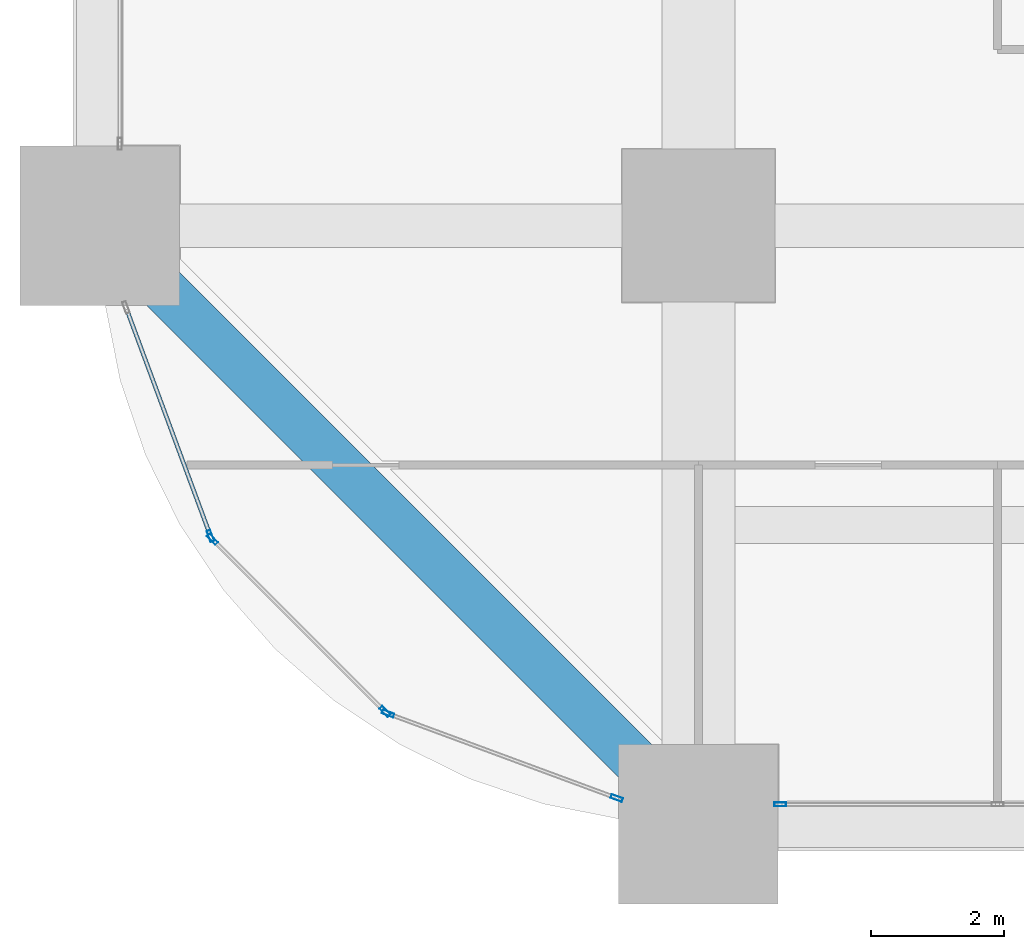
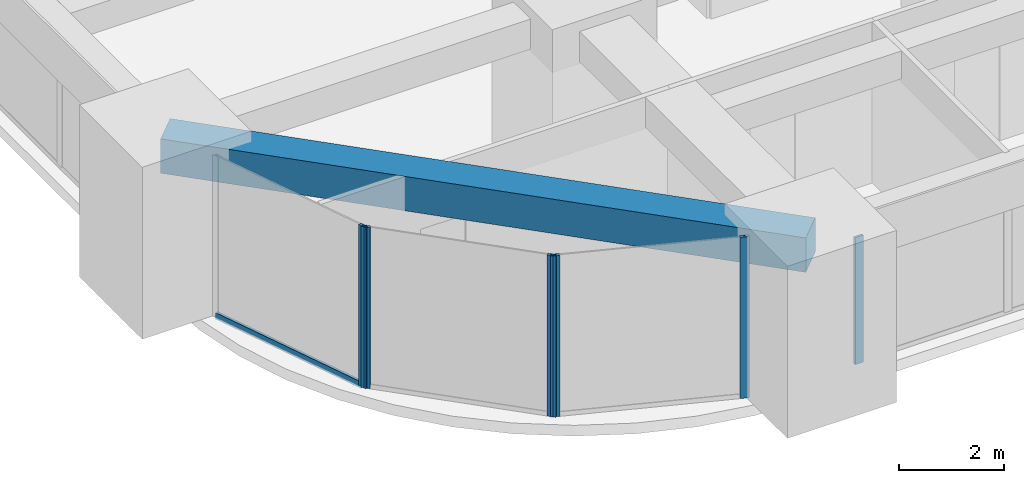
# One storey, part 2 of 45: 7 members, 1 beam, 4 elements without a shape of their own.
"""IFC4 building model written with IfcOpenShell, lengths in metres."""

from ifc_helpers import new_model, si_unit, direction, frame, origin, origin_2d, place, context, subcontext, project, spatial, rectangle, hollow_rectangle, extrude, material, material_profile, profile_set, type_object, element, aggregate, save


model = new_model("IFC4")

# Units and contexts
model_context = context("Model", 3, precision=1e-05, world=origin(), true_north=direction((0.0, 1.0)))
body_context = subcontext(model_context, "Body", "Model", "MODEL_VIEW")
ifc_project = project(units=[si_unit("LENGTHUNIT", "METRE"), si_unit("AREAUNIT", "SQUARE_METRE"), si_unit("VOLUMEUNIT", "CUBIC_METRE"), si_unit("PLANEANGLEUNIT", "RADIAN"), si_unit("MASSUNIT", "GRAM", prefix="KILO")], contexts=[model_context])

# Site, building, storey
site_placement = place(None, origin())
site = spatial("IfcSite", under=ifc_project, at=site_placement, CompositionType="ELEMENT")
building_placement = place(site_placement, origin())
building = spatial("IfcBuilding", under=site, at=building_placement, Name="Zorevar Civic Tower", CompositionType="ELEMENT")
storey_placement = place(building_placement, frame((0.0, 0.0, 27.800048828125)))
storey = spatial("IfcBuildingStorey", under=building, at=storey_placement, Name="L06", CompositionType="ELEMENT", Elevation=27.800048828125)

# Curtain wall, member
ifc_material_1 = material(Name="Dark grey solar-control glass in black aluminium frame", Category="aluminium")
curtain_wall_type = type_object("IfcCurtainWallType", Name="Curtain wall CW2 low zone", PredefinedType="NOTDEFINED", material=ifc_material_1)
curtain_wall_1_placement = place(storey_placement, origin())
curtain_wall_1 = element("IfcCurtainWall", 1, at=curtain_wall_1_placement, inside=storey, type_object=curtain_wall_type, Name="CW2 L06", PredefinedType="NOTDEFINED")
ifc_material_2 = material(Name="Aluminium, black anodised", Category="aluminium")
ifc_material_profile_1 = material_profile(ifc_material_2, hollow_rectangle(XDim=0.06005859375, YDim=0.179931640625, WallThickness=0.00390625, at=origin_2d()), Name="AL 180x60x4")
ifc_profile_set_1 = profile_set([ifc_material_profile_1], Name="Aluminium, black anodised")
member_type_1 = type_object("IfcMemberType", Name="CW2 mullion AL 180x60x4", PredefinedType="MULLION", material=ifc_profile_set_1)
member_1_placement = place(storey_placement, frame((10.22998046875, 0.300048828125, 0.0), z_axis=(0.0, 0.0, 1.0), x_axis=(0.0, 1.0, 0.0)))
member_1 = element("IfcMember", 2, at=member_1_placement, type_object=member_type_1, Name="CW2 mullion 1", PredefinedType="MULLION", context=body_context, shape_type="SweptSolid", body=[
    extrude(hollow_rectangle(XDim=0.06005859375, YDim=0.179931640625, WallThickness=0.00390625, at=origin_2d()), origin(), (0.0, 0.0, 1.0), 2.949951171875),
])
aggregate(curtain_wall_1, [member_1])

curtain_wall_2_placement = place(storey_placement, origin())
curtain_wall_2 = element("IfcCurtainWall", 3, at=curtain_wall_2_placement, inside=storey, type_object=curtain_wall_type, Name="CW2 L06", PredefinedType="NOTDEFINED")
member_2_placement = place(storey_placement, frame((1.663818359375, 4.33544921875, 0.0), z_axis=(0.0, 0.0, 1.0), x_axis=(0.937974588163, 0.346704012033, 0.0)))
member_2 = element("IfcMember", 4, at=member_2_placement, type_object=member_type_1, Name="CW2 mullion 2", PredefinedType="MULLION", context=body_context, shape_type="SweptSolid", body=[
    extrude(hollow_rectangle(XDim=0.06005859375, YDim=0.179931640625, WallThickness=0.00390625, at=origin_2d()), origin(), (0.0, 0.0, 1.0), 3.75),
])

# Curtain wall, members
curtain_wall_3_placement = place(storey_placement, origin())
curtain_wall_3 = element("IfcCurtainWall", 5, at=curtain_wall_3_placement, inside=storey, type_object=curtain_wall_type, Name="CW2 L06", PredefinedType="NOTDEFINED")
member_3_placement = place(storey_placement, frame((1.6953125, 4.2861328125, 0.0), z_axis=(0.0, 0.0, 1.0), x_axis=(0.707106781187, 0.707106781187, 0.0)))
member_3 = element("IfcMember", 6, at=member_3_placement, type_object=member_type_1, Name="CW2 mullion 1", PredefinedType="MULLION", context=body_context, shape_type="SweptSolid", body=[
    extrude(hollow_rectangle(XDim=0.06005859375, YDim=0.179931640625, WallThickness=0.00390625, at=origin_2d()), origin(), (0.0, 0.0, 1.0), 3.75),
])
member_4_placement = place(storey_placement, frame((4.2861328125, 1.6953125, 0.0), z_axis=(0.0, 0.0, 1.0), x_axis=(0.707106781187, 0.707106781187, 0.0)))
member_4 = element("IfcMember", 7, at=member_4_placement, type_object=member_type_1, Name="CW2 mullion 2", PredefinedType="MULLION", context=body_context, shape_type="SweptSolid", body=[
    extrude(hollow_rectangle(XDim=0.06005859375, YDim=0.179931640625, WallThickness=0.00390625, at=origin_2d()), origin(), (0.0, 0.0, 1.0), 3.75),
])
aggregate(curtain_wall_3, [member_3, member_4])

curtain_wall_4_placement = place(storey_placement, origin())
curtain_wall_4 = element("IfcCurtainWall", 8, at=curtain_wall_4_placement, inside=storey, type_object=curtain_wall_type, Name="CW2 L06", PredefinedType="NOTDEFINED")
member_5_placement = place(storey_placement, frame((4.33544921875, 1.663818359375, 0.0), z_axis=(0.0, 0.0, 1.0), x_axis=(0.346704012033, 0.937974588163, 0.0)))
member_5 = element("IfcMember", 9, at=member_5_placement, type_object=member_type_1, Name="CW2 mullion 1", PredefinedType="MULLION", context=body_context, shape_type="SweptSolid", body=[
    extrude(hollow_rectangle(XDim=0.06005859375, YDim=0.179931640625, WallThickness=0.00390625, at=origin_2d()), origin(), (0.0, 0.0, 1.0), 3.75),
])
member_6_placement = place(storey_placement, frame((7.77197265625, 0.3935546875, 0.0), z_axis=(0.0, 0.0, 1.0), x_axis=(0.346704012033, 0.937974588163, 0.0)))
member_6 = element("IfcMember", 10, at=member_6_placement, type_object=member_type_1, Name="CW2 mullion 2", PredefinedType="MULLION", context=body_context, shape_type="SweptSolid", body=[
    extrude(hollow_rectangle(XDim=0.06005859375, YDim=0.179931640625, WallThickness=0.00390625, at=origin_2d()), origin(), (0.0, 0.0, 1.0), 3.75),
])
aggregate(curtain_wall_4, [member_5, member_6])

# Member
ifc_material_3 = material(Name="Aluminium, black anodised", Category="aluminium")
ifc_material_profile_2 = material_profile(ifc_material_3, hollow_rectangle(XDim=0.06005859375, YDim=0.14990234375, WallThickness=0.00390625, at=origin_2d()), Name="AL 150x60x4")
ifc_profile_set_2 = profile_set([ifc_material_profile_2], Name="Aluminium, black anodised")
member_type_2 = type_object("IfcMemberType", Name="CW2 transom AL 150x60x4", PredefinedType="USERDEFINED", material=ifc_profile_set_2)
member_7_placement = place(storey_placement, frame((0.404052734375, 7.74365234375, 0.030029296875), z_axis=(0.346672169799, -0.93798635741, 0.0), x_axis=(0.93798635741, 0.346672169799, 0.0)))
member_7 = element("IfcMember", 11, at=member_7_placement, type_object=member_type_2, Name="CW2 sill transom", ObjectType="TRANSOM", PredefinedType="USERDEFINED", context=body_context, shape_type="SweptSolid", body=[
    extrude(hollow_rectangle(XDim=0.06005859375, YDim=0.14990234375, WallThickness=0.00390625, at=origin_2d()), origin(), (0.0, 0.0, 1.0), 3.603515625),
])

aggregate(curtain_wall_2, [member_2, member_7])

# Beam
ifc_material_4 = material(Name="Concrete C50/60", Category="concrete")
ifc_material_profile_3 = material_profile(ifc_material_4, rectangle(XDim=0.699951171875, YDim=0.800048828125, at=origin_2d()), Name="RC 700x800")
ifc_profile_set_3 = profile_set([ifc_material_profile_3], Name="Concrete C50/60")
beam_type = type_object("IfcBeamType", Name="Edge beam RC 700x800", PredefinedType="SPANDREL", material=ifc_profile_set_3)
beam_placement = place(storey_placement, frame((0.0, 9.0, 3.349853515625), z_axis=(0.707106781187, -0.707106781187, 0.0), x_axis=(0.707106781187, 0.707106781187, 0.0)))
element("IfcBeam", 12, at=beam_placement, inside=storey, type_object=beam_type, Name="Corner edge beam L07", PredefinedType="SPANDREL", context=body_context, shape_type="SweptSolid", body=[
    extrude(rectangle(XDim=0.699951171875, YDim=0.800048828125, at=origin_2d()), origin(), (0.0, 0.0, 1.0), 12.72802734375),
])

save(model, "model.ifc")
